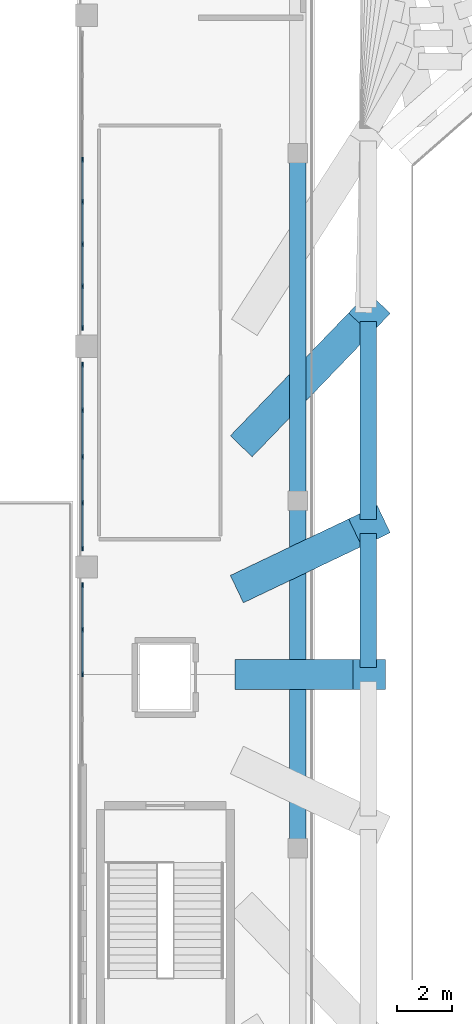
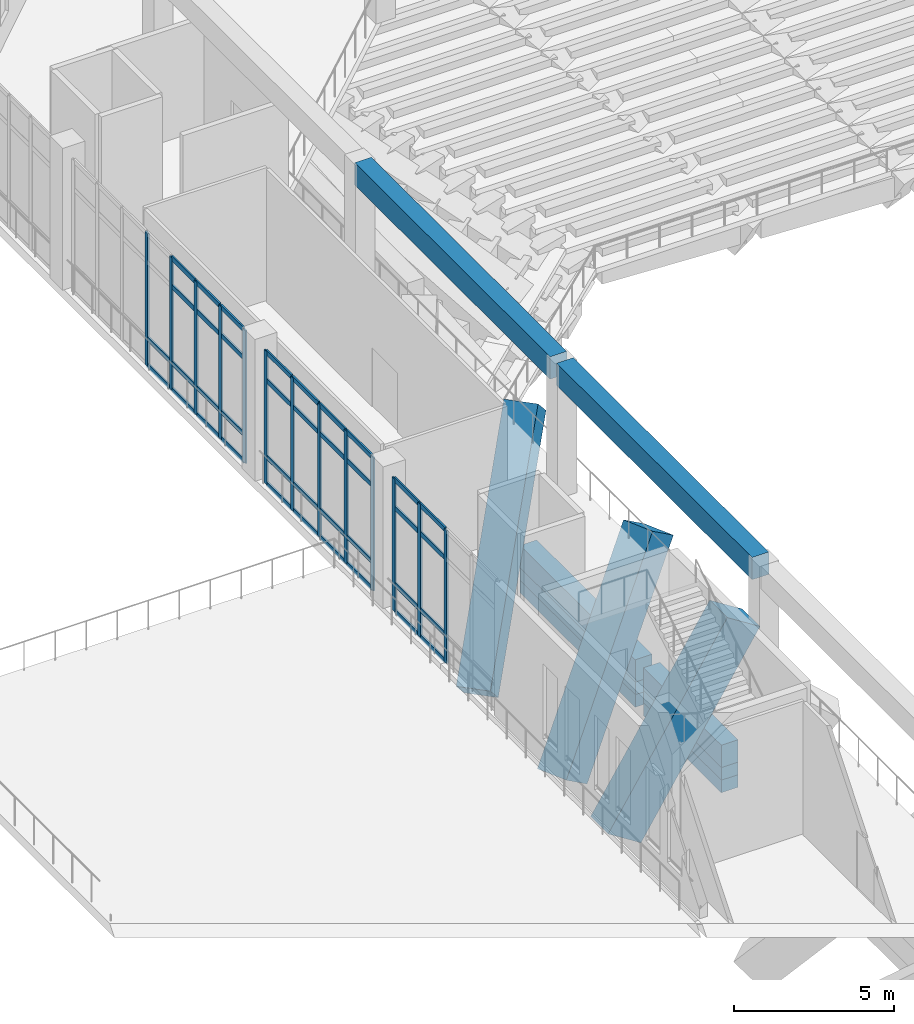
# One storey, part 18 of 55: 51 members, 11 beams, 3 elements without a shape of their own.
"""IFC4 building model written with IfcOpenShell, lengths in metres."""

from ifc_helpers import new_model, si_unit, derived_unit, direction, frame, origin, origin_2d, place, context, subcontext, project, spatial, rectangle, extrude, material, layer, layer_set, material_profile, profile_set, type_object, element, aggregate, save


model = new_model("IFC4")

# Units and contexts
model_context = context("Model", 3, precision=1e-05, world=origin(), true_north=direction((0.0, 1.0)))
body_context = subcontext(model_context, "Body", "Model", "MODEL_VIEW")
ifc_project = project(units=[si_unit("LENGTHUNIT", "METRE"), si_unit("AREAUNIT", "SQUARE_METRE"), si_unit("VOLUMEUNIT", "CUBIC_METRE"), si_unit("PLANEANGLEUNIT", "RADIAN"), si_unit("MASSUNIT", "GRAM", prefix="KILO"), derived_unit("THERMALTRANSMITTANCEUNIT", [(si_unit("MASSUNIT", "GRAM", prefix="KILO"), 1), (si_unit("TIMEUNIT", "SECOND"), -3), (si_unit("THERMODYNAMICTEMPERATUREUNIT", "KELVIN"), -1)])], contexts=[model_context])

# Site, building, storey
site_placement = place(None, origin())
site = spatial("IfcSite", under=ifc_project, at=site_placement, CompositionType="ELEMENT")
building_placement = place(site_placement, origin())
building = spatial("IfcBuilding", under=site, at=building_placement, Name="Valcora Ridge Arena", CompositionType="ELEMENT")
storey_placement = place(building_placement, frame((0.0, 0.0, 21.0)))
storey = spatial("IfcBuildingStorey", under=building, at=storey_placement, Name="L04", CompositionType="ELEMENT", Elevation=21.0)

# Beams
ifc_material_1 = material(Name="Concrete C40/50", Category="concrete")
ifc_material_profile_1 = material_profile(ifc_material_1, rectangle(XDim=0.60009765625, YDim=0.85009765625, at=origin_2d()), Name="RC 600x850")
ifc_profile_set_1 = profile_set([ifc_material_profile_1], Name="Concrete C40/50")
beam_type_1 = type_object("IfcBeamType", Name="TY-BEAM-B-RC600-X", PredefinedType="BEAM", material=ifc_profile_set_1)
beam_1_placement = place(storey_placement, frame((26.55712890625, 76.905517578125, -8.22509765625), z_axis=(0.0, -1.0, 0.0), x_axis=(1.0, 0.0, 0.0)))
element("IfcBeam", 1, at=beam_1_placement, inside=storey, type_object=beam_type_1, Name="B-RC600-X BEM-RU3-B-RC600-X-0045", PredefinedType="BEAM", context=body_context, shape_type="SweptSolid", body=[
    extrude(rectangle(XDim=0.60009765625, YDim=0.85009765625, at=origin_2d()), origin(), (0.0, 0.0, 1.0), 7.18603515625),
])
beam_2_placement = place(storey_placement, frame((26.55712890625, 69.219482421875, -8.22509765625), z_axis=(0.0, -1.0, 0.0), x_axis=(1.0, 0.0, 0.0)))
element("IfcBeam", 2, at=beam_2_placement, inside=storey, type_object=beam_type_1, Name="B-RC600-X BEM-RU3-B-RC600-X-0046", PredefinedType="BEAM", context=body_context, shape_type="SweptSolid", body=[
    extrude(rectangle(XDim=0.60009765625, YDim=0.85009765625, at=origin_2d()), origin(), (0.0, 0.0, 1.0), 4.869384765625),
])
beam_3_placement = place(storey_placement, frame((26.55712890625, 76.905517578125, -7.7451171875), z_axis=(0.0, -1.0, 0.0), x_axis=(1.0, 0.0, 0.0)))
element("IfcBeam", 3, at=beam_3_placement, inside=storey, type_object=beam_type_1, Name="B-RC600-X BEM-RU3-B-RC600-X-0096", PredefinedType="BEAM", context=body_context, shape_type="SweptSolid", body=[
    extrude(rectangle(XDim=0.60009765625, YDim=0.85009765625, at=origin_2d()), origin(), (0.0, 0.0, 1.0), 7.18603515625),
])
beam_4_placement = place(storey_placement, frame((26.55712890625, 69.219482421875, -7.7451171875), z_axis=(0.0, -1.0, 0.0), x_axis=(1.0, 0.0, 0.0)))
element("IfcBeam", 4, at=beam_4_placement, inside=storey, type_object=beam_type_1, Name="B-RC600-X BEM-RU3-B-RC600-X-0097", PredefinedType="BEAM", context=body_context, shape_type="SweptSolid", body=[
    extrude(rectangle(XDim=0.60009765625, YDim=0.85009765625, at=origin_2d()), origin(), (0.0, 0.0, 1.0), 4.869384765625),
])
beam_5_placement = place(storey_placement, frame((26.55712890625, 76.905517578125, -7.264892578125), z_axis=(0.0, -1.0, 0.0), x_axis=(1.0, 0.0, 0.0)))
element("IfcBeam", 5, at=beam_5_placement, inside=storey, type_object=beam_type_1, Name="B-RC600-X BEM-RU3-B-RC600-X-0147", PredefinedType="BEAM", context=body_context, shape_type="SweptSolid", body=[
    extrude(rectangle(XDim=0.60009765625, YDim=0.85009765625, at=origin_2d()), origin(), (0.0, 0.0, 1.0), 7.18603515625),
])
beam_6_placement = place(storey_placement, frame((26.55712890625, 69.219482421875, -7.264892578125), z_axis=(0.0, -1.0, 0.0), x_axis=(1.0, 0.0, 0.0)))
element("IfcBeam", 6, at=beam_6_placement, inside=storey, type_object=beam_type_1, Name="B-RC600-X BEM-RU3-B-RC600-X-0148", PredefinedType="BEAM", context=body_context, shape_type="SweptSolid", body=[
    extrude(rectangle(XDim=0.60009765625, YDim=0.85009765625, at=origin_2d()), origin(), (0.0, 0.0, 1.0), 4.869384765625),
])
ifc_material_profile_2 = material_profile(ifc_material_1, rectangle(XDim=0.60009765625, YDim=0.85009765625, at=origin_2d()), Name="RC 600x850")
ifc_profile_set_2 = profile_set([ifc_material_profile_2], Name="Concrete C40/50")
beam_type_2 = type_object("IfcBeamType", Name="TY-BEAM-B-RC600-Y", PredefinedType="BEAM", material=ifc_profile_set_2)
for number, where, z_axis, x_axis, name in (
    (7, (24.0, 58.0, 4.635009765625), (0.0, 1.0, 0.0), (-1.0, 0.0, 0.0), "B-RC600-Y BEM-B-RC600-Y-0028"),
    (8, (24.0, 70.60009765625, 4.635009765625), (0.0, 1.0, 0.0), (-1.0, 0.0, 0.0), "B-RC600-Y BEM-B-RC600-Y-0029"),
):
    element("IfcBeam", number, at=place(storey_placement, frame(where, z_axis=z_axis, x_axis=x_axis)), inside=storey, type_object=beam_type_2, Name=name, PredefinedType="BEAM", context=body_context, shape_type="SweptSolid", body=[
        extrude(rectangle(XDim=0.60009765625, YDim=0.85009765625, at=origin_2d()), origin(), (0.0, 0.0, 1.0), 12.199951171875),
    ])
ifc_material_2 = material(Name="Concrete C45/55", Category="concrete")
ifc_material_profile_3 = material_profile(ifc_material_2, rectangle(XDim=1.10009765625, YDim=1.39990234375, at=origin_2d()), Name="RC 1100x1400")
ifc_profile_set_3 = profile_set([ifc_material_profile_3], Name="Concrete C45/55")
beam_type_3 = type_object("IfcBeamType", Name="TY-BEAM-RKR-UPP-1400", PredefinedType="USERDEFINED", material=ifc_profile_set_3)
beam_7_placement = place(storey_placement, frame((22.31005859375, 72.7451171875, -8.52001953125), z_axis=(0.468982923792, 0.48699814537, 0.736809217911), x_axis=(-0.720304142252, 0.693658376043, 0.0)))
element("IfcBeam", 9, at=beam_7_placement, inside=storey, type_object=beam_type_3, Name="RKR-UPP-1400 BEM-RK-RKR-UPP-1400-0046", ObjectType="RAKER", PredefinedType="USERDEFINED", context=body_context, shape_type="SweptSolid", body=[
    extrude(rectangle(XDim=1.10009765625, YDim=1.39990234375, at=origin_2d()), origin(), (0.0, 0.0, 1.0), 9.1474609375),
])
beam_8_placement = place(storey_placement, frame((22.31005859375, 64.10009765625, -8.52001953125), z_axis=(0.53696051187, 0.0, 0.843607378283), x_axis=(0.0, 1.0, 0.0)))
element("IfcBeam", 10, at=beam_8_placement, inside=storey, type_object=beam_type_3, Name="RKR-UPP-1400 BEM-RK-RKR-UPP-1400-0047", ObjectType="RAKER", PredefinedType="USERDEFINED", context=body_context, shape_type="SweptSolid", body=[
    extrude(rectangle(XDim=1.10009765625, YDim=1.39990234375, at=origin_2d()), origin(), (0.0, 0.0, 1.0), 7.989501953125),
])
beam_9_placement = place(storey_placement, frame((22.31005859375, 67.44384765625, -8.52001953125), z_axis=(0.520172505004, 0.248097300503, 0.817232093423), x_axis=(-0.430493770207, 0.902593548511, 0.0)))
element("IfcBeam", 11, at=beam_9_placement, inside=storey, type_object=beam_type_3, Name="RKR-UPP-1400 BEM-RKN-RKR-UPP-1400-0001", ObjectType="RAKER", PredefinedType="USERDEFINED", context=body_context, shape_type="SweptSolid", body=[
    extrude(rectangle(XDim=1.10009765625, YDim=1.39990234375, at=origin_2d()), origin(), (0.0, 0.0, 1.0), 8.247314453125),
])

# Curtain wall, members
ifc_material_3 = material(Name="Anodised dark bronze architectural aluminium 6063-T6", Category="aluminium")
ifc_layer_1 = layer(ifc_material_3, 0.179931640625, Name="Anodised dark bronze architectural aluminium 6063-T6")
ifc_layer_set_1 = layer_set([ifc_layer_1], Name="Anodised dark bronze architectural aluminium 6063-T6")
curtain_wall_type_1 = type_object("IfcCurtainWallType", Name="TY-CURTAINWALL-CW-V1-GOTH-065X51", PredefinedType="NOTDEFINED", material=ifc_layer_set_1)
curtain_wall_1_placement = place(storey_placement, origin())
curtain_wall_1 = element("IfcCurtainWall", 12, at=curtain_wall_1_placement, inside=storey, type_object=curtain_wall_type_1, Name="CW-V1-GOTH-065X51 CW-0149", PredefinedType="NOTDEFINED")
ifc_material_profile_4 = material_profile(ifc_material_3, rectangle(XDim=0.06005859375, YDim=0.179931640625, at=origin_2d()), Name="ALU MULLION 60x180")
ifc_profile_set_4 = profile_set([ifc_material_profile_4], Name="Anodised dark bronze architectural aluminium 6063-T6")
member_type_1 = type_object("IfcMemberType", Name="TY-MEM-CWM-60x180", PredefinedType="MULLION", material=ifc_profile_set_4)
member_1_placement = place(storey_placement, frame((16.199951171875, 64.10498046875, 0.0), z_axis=(0.0, 0.0, 1.0), x_axis=(-1.0, 0.0, 0.0)))
member_1 = element("IfcMember", 13, at=member_1_placement, type_object=member_type_1, Name="CW-0149/CWM-60x180/M02", PredefinedType="MULLION", context=body_context, shape_type="SweptSolid", body=[
    extrude(rectangle(XDim=0.06005859375, YDim=0.179931640625, at=origin_2d()), origin(), (0.0, 0.0, 1.0), 5.06005859375),
])
member_2_placement = place(storey_placement, frame((16.199951171875, 65.732421875, 0.0), z_axis=(0.0, 0.0, 1.0), x_axis=(-1.0, 0.0, 0.0)))
member_2 = element("IfcMember", 14, at=member_2_placement, type_object=member_type_1, Name="CW-0149/CWM-60x180/M03", PredefinedType="MULLION", context=body_context, shape_type="SweptSolid", body=[
    extrude(rectangle(XDim=0.06005859375, YDim=0.179931640625, at=origin_2d()), origin(), (0.0, 0.0, 1.0), 5.06005859375),
])
member_3_placement = place(storey_placement, frame((16.199951171875, 67.330078125, 0.0), z_axis=(0.0, 0.0, 1.0), x_axis=(-1.0, 0.0, 0.0)))
member_3 = element("IfcMember", 15, at=member_3_placement, type_object=member_type_1, Name="CW-0149/CWM-60x180/M04", PredefinedType="MULLION", context=body_context, shape_type="SweptSolid", body=[
    extrude(rectangle(XDim=0.06005859375, YDim=0.179931640625, at=origin_2d()), origin(), (0.0, 0.0, 1.0), 5.06005859375),
])

ifc_layer_2 = layer(ifc_material_3, 0.179931640625, Name="Anodised dark bronze architectural aluminium 6063-T6")
ifc_layer_set_2 = layer_set([ifc_layer_2], Name="Anodised dark bronze architectural aluminium 6063-T6")
curtain_wall_type_2 = type_object("IfcCurtainWallType", Name="TY-CURTAINWALL-CW-V1-GOTH-067X51", PredefinedType="NOTDEFINED", material=ifc_layer_set_2)
curtain_wall_2_placement = place(storey_placement, origin())
curtain_wall_2 = element("IfcCurtainWall", 16, at=curtain_wall_2_placement, inside=storey, type_object=curtain_wall_type_2, Name="CW-V1-GOTH-067X51 CW-0150", PredefinedType="NOTDEFINED")
member_4_placement = place(storey_placement, frame((16.199951171875, 68.669921875, 0.0), z_axis=(0.0, 0.0, 1.0), x_axis=(-1.0, 0.0, 0.0)))
member_4 = element("IfcMember", 17, at=member_4_placement, type_object=member_type_1, Name="CW-0150/CWM-60x180/M00", PredefinedType="MULLION", context=body_context, shape_type="SweptSolid", body=[
    extrude(rectangle(XDim=0.06005859375, YDim=0.179931640625, at=origin_2d()), origin(), (0.0, 0.0, 1.0), 5.06005859375),
])
member_5_placement = place(storey_placement, frame((16.199951171875, 70.320068359375, 0.0), z_axis=(0.0, 0.0, 1.0), x_axis=(-1.0, 0.0, 0.0)))
member_5 = element("IfcMember", 18, at=member_5_placement, type_object=member_type_1, Name="CW-0150/CWM-60x180/M01", PredefinedType="MULLION", context=body_context, shape_type="SweptSolid", body=[
    extrude(rectangle(XDim=0.06005859375, YDim=0.179931640625, at=origin_2d()), origin(), (0.0, 0.0, 1.0), 5.06005859375),
])
member_6_placement = place(storey_placement, frame((16.199951171875, 72.0, 0.0), z_axis=(0.0, 0.0, 1.0), x_axis=(-1.0, 0.0, 0.0)))
member_6 = element("IfcMember", 19, at=member_6_placement, type_object=member_type_1, Name="CW-0150/CWM-60x180/M02", PredefinedType="MULLION", context=body_context, shape_type="SweptSolid", body=[
    extrude(rectangle(XDim=0.06005859375, YDim=0.179931640625, at=origin_2d()), origin(), (0.0, 0.0, 1.0), 5.06005859375),
])
member_7_placement = place(storey_placement, frame((16.199951171875, 73.679931640625, 0.0), z_axis=(0.0, 0.0, 1.0), x_axis=(-1.0, 0.0, 0.0)))
member_7 = element("IfcMember", 20, at=member_7_placement, type_object=member_type_1, Name="CW-0150/CWM-60x180/M03", PredefinedType="MULLION", context=body_context, shape_type="SweptSolid", body=[
    extrude(rectangle(XDim=0.06005859375, YDim=0.179931640625, at=origin_2d()), origin(), (0.0, 0.0, 1.0), 5.06005859375),
])
member_8_placement = place(storey_placement, frame((16.199951171875, 75.330078125, 0.0), z_axis=(0.0, 0.0, 1.0), x_axis=(-1.0, 0.0, 0.0)))
member_8 = element("IfcMember", 21, at=member_8_placement, type_object=member_type_1, Name="CW-0150/CWM-60x180/M04", PredefinedType="MULLION", context=body_context, shape_type="SweptSolid", body=[
    extrude(rectangle(XDim=0.06005859375, YDim=0.179931640625, at=origin_2d()), origin(), (0.0, 0.0, 1.0), 5.06005859375),
])

ifc_layer_3 = layer(ifc_material_3, 0.179931640625, Name="Anodised dark bronze architectural aluminium 6063-T6")
ifc_layer_set_3 = layer_set([ifc_layer_3], Name="Anodised dark bronze architectural aluminium 6063-T6")
curtain_wall_type_3 = type_object("IfcCurtainWallType", Name="TY-CURTAINWALL-CW-V1-GOTH-107X51", PredefinedType="NOTDEFINED", material=ifc_layer_set_3)
curtain_wall_3_placement = place(storey_placement, origin())
curtain_wall_3 = element("IfcCurtainWall", 22, at=curtain_wall_3_placement, inside=storey, type_object=curtain_wall_type_3, Name="CW-V1-GOTH-107X51 CW-0151", PredefinedType="NOTDEFINED")
member_9_placement = place(storey_placement, frame((16.199951171875, 76.669921875, 0.0), z_axis=(0.0, 0.0, 1.0), x_axis=(-1.0, 0.0, 0.0)))
member_9 = element("IfcMember", 23, at=member_9_placement, type_object=member_type_1, Name="CW-0151/CWM-60x180/M00", PredefinedType="MULLION", context=body_context, shape_type="SweptSolid", body=[
    extrude(rectangle(XDim=0.06005859375, YDim=0.179931640625, at=origin_2d()), origin(), (0.0, 0.0, 1.0), 5.06005859375),
])
member_10_placement = place(storey_placement, frame((16.199951171875, 78.17138671875, 0.0), z_axis=(0.0, 0.0, 1.0), x_axis=(-1.0, 0.0, 0.0)))
member_10 = element("IfcMember", 24, at=member_10_placement, type_object=member_type_1, Name="CW-0151/CWM-60x180/M01", PredefinedType="MULLION", context=body_context, shape_type="SweptSolid", body=[
    extrude(rectangle(XDim=0.06005859375, YDim=0.179931640625, at=origin_2d()), origin(), (0.0, 0.0, 1.0), 5.06005859375),
])
member_11_placement = place(storey_placement, frame((16.199951171875, 79.702880859375, 0.0), z_axis=(0.0, 0.0, 1.0), x_axis=(-1.0, 0.0, 0.0)))
member_11 = element("IfcMember", 25, at=member_11_placement, type_object=member_type_1, Name="CW-0151/CWM-60x180/M02", PredefinedType="MULLION", context=body_context, shape_type="SweptSolid", body=[
    extrude(rectangle(XDim=0.06005859375, YDim=0.179931640625, at=origin_2d()), origin(), (0.0, 0.0, 1.0), 5.06005859375),
])
member_12_placement = place(storey_placement, frame((16.199951171875, 81.234375, 0.0), z_axis=(0.0, 0.0, 1.0), x_axis=(-1.0, 0.0, 0.0)))
member_12 = element("IfcMember", 26, at=member_12_placement, type_object=member_type_1, Name="CW-0151/CWM-60x180/M03", PredefinedType="MULLION", context=body_context, shape_type="SweptSolid", body=[
    extrude(rectangle(XDim=0.06005859375, YDim=0.179931640625, at=origin_2d()), origin(), (0.0, 0.0, 1.0), 5.06005859375),
])
member_13_placement = place(storey_placement, frame((16.199951171875, 82.765625, 0.0), z_axis=(0.0, 0.0, 1.0), x_axis=(-1.0, 0.0, 0.0)))
member_13 = element("IfcMember", 27, at=member_13_placement, type_object=member_type_1, Name="CW-0151/CWM-60x180/M04", PredefinedType="MULLION", context=body_context, shape_type="SweptSolid", body=[
    extrude(rectangle(XDim=0.06005859375, YDim=0.179931640625, at=origin_2d()), origin(), (0.0, 0.0, 1.0), 5.06005859375),
])

# Member
ifc_material_profile_5 = material_profile(ifc_material_3, rectangle(XDim=0.06005859375, YDim=0.179931640625, at=origin_2d()), Name="ALU TRANSOM 60x180")
ifc_profile_set_5 = profile_set([ifc_material_profile_5], Name="Anodised dark bronze architectural aluminium 6063-T6")
member_type_2 = type_object("IfcMemberType", Name="TY-MEM-CWT-60x180", PredefinedType="USERDEFINED", material=ifc_profile_set_5)
member_14_placement = place(storey_placement, frame((16.199951171875, 64.135009765625, 0.030029296875), z_axis=(0.0, 1.0, 0.0), x_axis=(-1.0, 0.0, 0.0)))
member_14 = element("IfcMember", 28, at=member_14_placement, type_object=member_type_2, Name="CW-0149/CWT-60x180/T02-00", ObjectType="TRANSOM", PredefinedType="USERDEFINED", context=body_context, shape_type="SweptSolid", body=[
    extrude(rectangle(XDim=0.06005859375, YDim=0.179931640625, at=origin_2d()), origin(), (0.0, 0.0, 1.0), 1.56787109375),
])

member_15_placement = place(storey_placement, frame((16.199951171875, 64.135009765625, 1.050048828125), z_axis=(0.0, 1.0, 0.0), x_axis=(-1.0, 0.0, 0.0)))
member_15 = element("IfcMember", 29, at=member_15_placement, type_object=member_type_2, Name="CW-0149/CWT-60x180/T02-01", ObjectType="TRANSOM", PredefinedType="USERDEFINED", context=body_context, shape_type="SweptSolid", body=[
    extrude(rectangle(XDim=0.06005859375, YDim=0.179931640625, at=origin_2d()), origin(), (0.0, 0.0, 1.0), 1.56787109375),
])

member_16_placement = place(storey_placement, frame((16.199951171875, 64.135009765625, 3.9599609375), z_axis=(0.0, 1.0, 0.0), x_axis=(-1.0, 0.0, 0.0)))
member_16 = element("IfcMember", 30, at=member_16_placement, type_object=member_type_2, Name="CW-0149/CWT-60x180/T02-02", ObjectType="TRANSOM", PredefinedType="USERDEFINED", context=body_context, shape_type="SweptSolid", body=[
    extrude(rectangle(XDim=0.06005859375, YDim=0.179931640625, at=origin_2d()), origin(), (0.0, 0.0, 1.0), 1.56787109375),
])

member_17_placement = place(storey_placement, frame((16.199951171875, 64.135009765625, 5.030029296875), z_axis=(0.0, 1.0, 0.0), x_axis=(-1.0, 0.0, 0.0)))
member_17 = element("IfcMember", 31, at=member_17_placement, type_object=member_type_2, Name="CW-0149/CWT-60x180/T02-03", ObjectType="TRANSOM", PredefinedType="USERDEFINED", context=body_context, shape_type="SweptSolid", body=[
    extrude(rectangle(XDim=0.06005859375, YDim=0.179931640625, at=origin_2d()), origin(), (0.0, 0.0, 1.0), 1.56787109375),
])

member_18_placement = place(storey_placement, frame((16.199951171875, 65.762939453125, 0.030029296875), z_axis=(0.0, 1.0, 0.0), x_axis=(-1.0, 0.0, 0.0)))
member_18 = element("IfcMember", 32, at=member_18_placement, type_object=member_type_2, Name="CW-0149/CWT-60x180/T03-00", ObjectType="TRANSOM", PredefinedType="USERDEFINED", context=body_context, shape_type="SweptSolid", body=[
    extrude(rectangle(XDim=0.06005859375, YDim=0.179931640625, at=origin_2d()), origin(), (0.0, 0.0, 1.0), 1.537109375),
])

member_19_placement = place(storey_placement, frame((16.199951171875, 65.762939453125, 1.050048828125), z_axis=(0.0, 1.0, 0.0), x_axis=(-1.0, 0.0, 0.0)))
member_19 = element("IfcMember", 33, at=member_19_placement, type_object=member_type_2, Name="CW-0149/CWT-60x180/T03-01", ObjectType="TRANSOM", PredefinedType="USERDEFINED", context=body_context, shape_type="SweptSolid", body=[
    extrude(rectangle(XDim=0.06005859375, YDim=0.179931640625, at=origin_2d()), origin(), (0.0, 0.0, 1.0), 1.537109375),
])

member_20_placement = place(storey_placement, frame((16.199951171875, 65.762939453125, 3.9599609375), z_axis=(0.0, 1.0, 0.0), x_axis=(-1.0, 0.0, 0.0)))
member_20 = element("IfcMember", 34, at=member_20_placement, type_object=member_type_2, Name="CW-0149/CWT-60x180/T03-02", ObjectType="TRANSOM", PredefinedType="USERDEFINED", context=body_context, shape_type="SweptSolid", body=[
    extrude(rectangle(XDim=0.06005859375, YDim=0.179931640625, at=origin_2d()), origin(), (0.0, 0.0, 1.0), 1.537109375),
])

member_21_placement = place(storey_placement, frame((16.199951171875, 65.762939453125, 5.030029296875), z_axis=(0.0, 1.0, 0.0), x_axis=(-1.0, 0.0, 0.0)))
member_21 = element("IfcMember", 35, at=member_21_placement, type_object=member_type_2, Name="CW-0149/CWT-60x180/T03-03", ObjectType="TRANSOM", PredefinedType="USERDEFINED", context=body_context, shape_type="SweptSolid", body=[
    extrude(rectangle(XDim=0.06005859375, YDim=0.179931640625, at=origin_2d()), origin(), (0.0, 0.0, 1.0), 1.537109375),
])

aggregate(curtain_wall_1, [member_1, member_2, member_3, member_14, member_15, member_16, member_17, member_18, member_19, member_20, member_21])

member_22_placement = place(storey_placement, frame((16.199951171875, 68.699951171875, 0.030029296875), z_axis=(0.0, 1.0, 0.0), x_axis=(-1.0, 0.0, 0.0)))
member_22 = element("IfcMember", 36, at=member_22_placement, type_object=member_type_2, Name="CW-0150/CWT-60x180/T00-00", ObjectType="TRANSOM", PredefinedType="USERDEFINED", context=body_context, shape_type="SweptSolid", body=[
    extrude(rectangle(XDim=0.06005859375, YDim=0.179931640625, at=origin_2d()), origin(), (0.0, 0.0, 1.0), 1.590087890625),
])

member_23_placement = place(storey_placement, frame((16.199951171875, 68.699951171875, 1.050048828125), z_axis=(0.0, 1.0, 0.0), x_axis=(-1.0, 0.0, 0.0)))
member_23 = element("IfcMember", 37, at=member_23_placement, type_object=member_type_2, Name="CW-0150/CWT-60x180/T00-01", ObjectType="TRANSOM", PredefinedType="USERDEFINED", context=body_context, shape_type="SweptSolid", body=[
    extrude(rectangle(XDim=0.06005859375, YDim=0.179931640625, at=origin_2d()), origin(), (0.0, 0.0, 1.0), 1.590087890625),
])

member_24_placement = place(storey_placement, frame((16.199951171875, 68.699951171875, 3.9599609375), z_axis=(0.0, 1.0, 0.0), x_axis=(-1.0, 0.0, 0.0)))
member_24 = element("IfcMember", 38, at=member_24_placement, type_object=member_type_2, Name="CW-0150/CWT-60x180/T00-02", ObjectType="TRANSOM", PredefinedType="USERDEFINED", context=body_context, shape_type="SweptSolid", body=[
    extrude(rectangle(XDim=0.06005859375, YDim=0.179931640625, at=origin_2d()), origin(), (0.0, 0.0, 1.0), 1.590087890625),
])

member_25_placement = place(storey_placement, frame((16.199951171875, 68.699951171875, 5.030029296875), z_axis=(0.0, 1.0, 0.0), x_axis=(-1.0, 0.0, 0.0)))
member_25 = element("IfcMember", 39, at=member_25_placement, type_object=member_type_2, Name="CW-0150/CWT-60x180/T00-03", ObjectType="TRANSOM", PredefinedType="USERDEFINED", context=body_context, shape_type="SweptSolid", body=[
    extrude(rectangle(XDim=0.06005859375, YDim=0.179931640625, at=origin_2d()), origin(), (0.0, 0.0, 1.0), 1.590087890625),
])

member_26_placement = place(storey_placement, frame((16.199951171875, 70.35009765625, 0.030029296875), z_axis=(0.0, 1.0, 0.0), x_axis=(-1.0, 0.0, 0.0)))
member_26 = element("IfcMember", 40, at=member_26_placement, type_object=member_type_2, Name="CW-0150/CWT-60x180/T01-00", ObjectType="TRANSOM", PredefinedType="USERDEFINED", context=body_context, shape_type="SweptSolid", body=[
    extrude(rectangle(XDim=0.06005859375, YDim=0.179931640625, at=origin_2d()), origin(), (0.0, 0.0, 1.0), 1.619873046875),
])

member_27_placement = place(storey_placement, frame((16.199951171875, 70.35009765625, 1.050048828125), z_axis=(0.0, 1.0, 0.0), x_axis=(-1.0, 0.0, 0.0)))
member_27 = element("IfcMember", 41, at=member_27_placement, type_object=member_type_2, Name="CW-0150/CWT-60x180/T01-01", ObjectType="TRANSOM", PredefinedType="USERDEFINED", context=body_context, shape_type="SweptSolid", body=[
    extrude(rectangle(XDim=0.06005859375, YDim=0.179931640625, at=origin_2d()), origin(), (0.0, 0.0, 1.0), 1.619873046875),
])

member_28_placement = place(storey_placement, frame((16.199951171875, 70.35009765625, 3.9599609375), z_axis=(0.0, 1.0, 0.0), x_axis=(-1.0, 0.0, 0.0)))
member_28 = element("IfcMember", 42, at=member_28_placement, type_object=member_type_2, Name="CW-0150/CWT-60x180/T01-02", ObjectType="TRANSOM", PredefinedType="USERDEFINED", context=body_context, shape_type="SweptSolid", body=[
    extrude(rectangle(XDim=0.06005859375, YDim=0.179931640625, at=origin_2d()), origin(), (0.0, 0.0, 1.0), 1.619873046875),
])

member_29_placement = place(storey_placement, frame((16.199951171875, 70.35009765625, 5.030029296875), z_axis=(0.0, 1.0, 0.0), x_axis=(-1.0, 0.0, 0.0)))
member_29 = element("IfcMember", 43, at=member_29_placement, type_object=member_type_2, Name="CW-0150/CWT-60x180/T01-03", ObjectType="TRANSOM", PredefinedType="USERDEFINED", context=body_context, shape_type="SweptSolid", body=[
    extrude(rectangle(XDim=0.06005859375, YDim=0.179931640625, at=origin_2d()), origin(), (0.0, 0.0, 1.0), 1.619873046875),
])

member_30_placement = place(storey_placement, frame((16.199951171875, 72.030029296875, 0.030029296875), z_axis=(0.0, 1.0, 0.0), x_axis=(-1.0, 0.0, 0.0)))
member_30 = element("IfcMember", 44, at=member_30_placement, type_object=member_type_2, Name="CW-0150/CWT-60x180/T02-00", ObjectType="TRANSOM", PredefinedType="USERDEFINED", context=body_context, shape_type="SweptSolid", body=[
    extrude(rectangle(XDim=0.06005859375, YDim=0.179931640625, at=origin_2d()), origin(), (0.0, 0.0, 1.0), 1.619873046875),
])

member_31_placement = place(storey_placement, frame((16.199951171875, 72.030029296875, 1.050048828125), z_axis=(0.0, 1.0, 0.0), x_axis=(-1.0, 0.0, 0.0)))
member_31 = element("IfcMember", 45, at=member_31_placement, type_object=member_type_2, Name="CW-0150/CWT-60x180/T02-01", ObjectType="TRANSOM", PredefinedType="USERDEFINED", context=body_context, shape_type="SweptSolid", body=[
    extrude(rectangle(XDim=0.06005859375, YDim=0.179931640625, at=origin_2d()), origin(), (0.0, 0.0, 1.0), 1.619873046875),
])

member_32_placement = place(storey_placement, frame((16.199951171875, 72.030029296875, 3.9599609375), z_axis=(0.0, 1.0, 0.0), x_axis=(-1.0, 0.0, 0.0)))
member_32 = element("IfcMember", 46, at=member_32_placement, type_object=member_type_2, Name="CW-0150/CWT-60x180/T02-02", ObjectType="TRANSOM", PredefinedType="USERDEFINED", context=body_context, shape_type="SweptSolid", body=[
    extrude(rectangle(XDim=0.06005859375, YDim=0.179931640625, at=origin_2d()), origin(), (0.0, 0.0, 1.0), 1.619873046875),
])

member_33_placement = place(storey_placement, frame((16.199951171875, 72.030029296875, 5.030029296875), z_axis=(0.0, 1.0, 0.0), x_axis=(-1.0, 0.0, 0.0)))
member_33 = element("IfcMember", 47, at=member_33_placement, type_object=member_type_2, Name="CW-0150/CWT-60x180/T02-03", ObjectType="TRANSOM", PredefinedType="USERDEFINED", context=body_context, shape_type="SweptSolid", body=[
    extrude(rectangle(XDim=0.06005859375, YDim=0.179931640625, at=origin_2d()), origin(), (0.0, 0.0, 1.0), 1.619873046875),
])

member_34_placement = place(storey_placement, frame((16.199951171875, 73.7099609375, 0.030029296875), z_axis=(0.0, 1.0, 0.0), x_axis=(-1.0, 0.0, 0.0)))
member_34 = element("IfcMember", 48, at=member_34_placement, type_object=member_type_2, Name="CW-0150/CWT-60x180/T03-00", ObjectType="TRANSOM", PredefinedType="USERDEFINED", context=body_context, shape_type="SweptSolid", body=[
    extrude(rectangle(XDim=0.06005859375, YDim=0.179931640625, at=origin_2d()), origin(), (0.0, 0.0, 1.0), 1.590087890625),
])

member_35_placement = place(storey_placement, frame((16.199951171875, 73.7099609375, 1.050048828125), z_axis=(0.0, 1.0, 0.0), x_axis=(-1.0, 0.0, 0.0)))
member_35 = element("IfcMember", 49, at=member_35_placement, type_object=member_type_2, Name="CW-0150/CWT-60x180/T03-01", ObjectType="TRANSOM", PredefinedType="USERDEFINED", context=body_context, shape_type="SweptSolid", body=[
    extrude(rectangle(XDim=0.06005859375, YDim=0.179931640625, at=origin_2d()), origin(), (0.0, 0.0, 1.0), 1.590087890625),
])

member_36_placement = place(storey_placement, frame((16.199951171875, 73.7099609375, 3.9599609375), z_axis=(0.0, 1.0, 0.0), x_axis=(-1.0, 0.0, 0.0)))
member_36 = element("IfcMember", 50, at=member_36_placement, type_object=member_type_2, Name="CW-0150/CWT-60x180/T03-02", ObjectType="TRANSOM", PredefinedType="USERDEFINED", context=body_context, shape_type="SweptSolid", body=[
    extrude(rectangle(XDim=0.06005859375, YDim=0.179931640625, at=origin_2d()), origin(), (0.0, 0.0, 1.0), 1.590087890625),
])

member_37_placement = place(storey_placement, frame((16.199951171875, 73.7099609375, 5.030029296875), z_axis=(0.0, 1.0, 0.0), x_axis=(-1.0, 0.0, 0.0)))
member_37 = element("IfcMember", 51, at=member_37_placement, type_object=member_type_2, Name="CW-0150/CWT-60x180/T03-03", ObjectType="TRANSOM", PredefinedType="USERDEFINED", context=body_context, shape_type="SweptSolid", body=[
    extrude(rectangle(XDim=0.06005859375, YDim=0.179931640625, at=origin_2d()), origin(), (0.0, 0.0, 1.0), 1.590087890625),
])

aggregate(curtain_wall_2, [member_4, member_5, member_6, member_7, member_8, member_22, member_23, member_24, member_25, member_26, member_27, member_28, member_29, member_30, member_31, member_32, member_33, member_34, member_35, member_36, member_37])

member_38_placement = place(storey_placement, frame((16.199951171875, 76.699951171875, 0.030029296875), z_axis=(0.0, 1.0, 0.0), x_axis=(-1.0, 0.0, 0.0)))
member_38 = element("IfcMember", 52, at=member_38_placement, type_object=member_type_2, Name="CW-0151/CWT-60x180/T00-00", ObjectType="TRANSOM", PredefinedType="USERDEFINED", context=body_context, shape_type="SweptSolid", body=[
    extrude(rectangle(XDim=0.06005859375, YDim=0.179931640625, at=origin_2d()), origin(), (0.0, 0.0, 1.0), 1.441162109375),
])

member_39_placement = place(storey_placement, frame((16.199951171875, 76.699951171875, 1.050048828125), z_axis=(0.0, 1.0, 0.0), x_axis=(-1.0, 0.0, 0.0)))
member_39 = element("IfcMember", 53, at=member_39_placement, type_object=member_type_2, Name="CW-0151/CWT-60x180/T00-01", ObjectType="TRANSOM", PredefinedType="USERDEFINED", context=body_context, shape_type="SweptSolid", body=[
    extrude(rectangle(XDim=0.06005859375, YDim=0.179931640625, at=origin_2d()), origin(), (0.0, 0.0, 1.0), 1.441162109375),
])

member_40_placement = place(storey_placement, frame((16.199951171875, 76.699951171875, 3.9599609375), z_axis=(0.0, 1.0, 0.0), x_axis=(-1.0, 0.0, 0.0)))
member_40 = element("IfcMember", 54, at=member_40_placement, type_object=member_type_2, Name="CW-0151/CWT-60x180/T00-02", ObjectType="TRANSOM", PredefinedType="USERDEFINED", context=body_context, shape_type="SweptSolid", body=[
    extrude(rectangle(XDim=0.06005859375, YDim=0.179931640625, at=origin_2d()), origin(), (0.0, 0.0, 1.0), 1.441162109375),
])

member_41_placement = place(storey_placement, frame((16.199951171875, 76.699951171875, 5.030029296875), z_axis=(0.0, 1.0, 0.0), x_axis=(-1.0, 0.0, 0.0)))
member_41 = element("IfcMember", 55, at=member_41_placement, type_object=member_type_2, Name="CW-0151/CWT-60x180/T00-03", ObjectType="TRANSOM", PredefinedType="USERDEFINED", context=body_context, shape_type="SweptSolid", body=[
    extrude(rectangle(XDim=0.06005859375, YDim=0.179931640625, at=origin_2d()), origin(), (0.0, 0.0, 1.0), 1.441162109375),
])

member_42_placement = place(storey_placement, frame((16.199951171875, 78.200927734375, 0.030029296875), z_axis=(0.0, 1.0, 0.0), x_axis=(-1.0, 0.0, 0.0)))
member_42 = element("IfcMember", 56, at=member_42_placement, type_object=member_type_2, Name="CW-0151/CWT-60x180/T01-00", ObjectType="TRANSOM", PredefinedType="USERDEFINED", context=body_context, shape_type="SweptSolid", body=[
    extrude(rectangle(XDim=0.06005859375, YDim=0.179931640625, at=origin_2d()), origin(), (0.0, 0.0, 1.0), 1.47216796875),
])

member_43_placement = place(storey_placement, frame((16.199951171875, 78.200927734375, 1.050048828125), z_axis=(0.0, 1.0, 0.0), x_axis=(-1.0, 0.0, 0.0)))
member_43 = element("IfcMember", 57, at=member_43_placement, type_object=member_type_2, Name="CW-0151/CWT-60x180/T01-01", ObjectType="TRANSOM", PredefinedType="USERDEFINED", context=body_context, shape_type="SweptSolid", body=[
    extrude(rectangle(XDim=0.06005859375, YDim=0.179931640625, at=origin_2d()), origin(), (0.0, 0.0, 1.0), 1.47216796875),
])

member_44_placement = place(storey_placement, frame((16.199951171875, 78.200927734375, 3.9599609375), z_axis=(0.0, 1.0, 0.0), x_axis=(-1.0, 0.0, 0.0)))
member_44 = element("IfcMember", 58, at=member_44_placement, type_object=member_type_2, Name="CW-0151/CWT-60x180/T01-02", ObjectType="TRANSOM", PredefinedType="USERDEFINED", context=body_context, shape_type="SweptSolid", body=[
    extrude(rectangle(XDim=0.06005859375, YDim=0.179931640625, at=origin_2d()), origin(), (0.0, 0.0, 1.0), 1.47216796875),
])

member_45_placement = place(storey_placement, frame((16.199951171875, 78.200927734375, 5.030029296875), z_axis=(0.0, 1.0, 0.0), x_axis=(-1.0, 0.0, 0.0)))
member_45 = element("IfcMember", 59, at=member_45_placement, type_object=member_type_2, Name="CW-0151/CWT-60x180/T01-03", ObjectType="TRANSOM", PredefinedType="USERDEFINED", context=body_context, shape_type="SweptSolid", body=[
    extrude(rectangle(XDim=0.06005859375, YDim=0.179931640625, at=origin_2d()), origin(), (0.0, 0.0, 1.0), 1.47216796875),
])

member_46_placement = place(storey_placement, frame((16.199951171875, 79.73291015625, 0.030029296875), z_axis=(0.0, 1.0, 0.0), x_axis=(-1.0, 0.0, 0.0)))
member_46 = element("IfcMember", 60, at=member_46_placement, type_object=member_type_2, Name="CW-0151/CWT-60x180/T02-00", ObjectType="TRANSOM", PredefinedType="USERDEFINED", context=body_context, shape_type="SweptSolid", body=[
    extrude(rectangle(XDim=0.06005859375, YDim=0.179931640625, at=origin_2d()), origin(), (0.0, 0.0, 1.0), 1.47119140625),
])

member_47_placement = place(storey_placement, frame((16.199951171875, 79.73291015625, 1.050048828125), z_axis=(0.0, 1.0, 0.0), x_axis=(-1.0, 0.0, 0.0)))
member_47 = element("IfcMember", 61, at=member_47_placement, type_object=member_type_2, Name="CW-0151/CWT-60x180/T02-01", ObjectType="TRANSOM", PredefinedType="USERDEFINED", context=body_context, shape_type="SweptSolid", body=[
    extrude(rectangle(XDim=0.06005859375, YDim=0.179931640625, at=origin_2d()), origin(), (0.0, 0.0, 1.0), 1.47119140625),
])

member_48_placement = place(storey_placement, frame((16.199951171875, 79.73291015625, 3.9599609375), z_axis=(0.0, 1.0, 0.0), x_axis=(-1.0, 0.0, 0.0)))
member_48 = element("IfcMember", 62, at=member_48_placement, type_object=member_type_2, Name="CW-0151/CWT-60x180/T02-02", ObjectType="TRANSOM", PredefinedType="USERDEFINED", context=body_context, shape_type="SweptSolid", body=[
    extrude(rectangle(XDim=0.06005859375, YDim=0.179931640625, at=origin_2d()), origin(), (0.0, 0.0, 1.0), 1.47119140625),
])

member_49_placement = place(storey_placement, frame((16.199951171875, 79.73291015625, 5.030029296875), z_axis=(0.0, 1.0, 0.0), x_axis=(-1.0, 0.0, 0.0)))
member_49 = element("IfcMember", 63, at=member_49_placement, type_object=member_type_2, Name="CW-0151/CWT-60x180/T02-03", ObjectType="TRANSOM", PredefinedType="USERDEFINED", context=body_context, shape_type="SweptSolid", body=[
    extrude(rectangle(XDim=0.06005859375, YDim=0.179931640625, at=origin_2d()), origin(), (0.0, 0.0, 1.0), 1.47119140625),
])

member_50_placement = place(storey_placement, frame((16.199951171875, 81.263916015625, 0.030029296875), z_axis=(0.0, 1.0, 0.0), x_axis=(-1.0, 0.0, 0.0)))
member_50 = element("IfcMember", 64, at=member_50_placement, type_object=member_type_2, Name="CW-0151/CWT-60x180/T03-00", ObjectType="TRANSOM", PredefinedType="USERDEFINED", context=body_context, shape_type="SweptSolid", body=[
    extrude(rectangle(XDim=0.06005859375, YDim=0.179931640625, at=origin_2d()), origin(), (0.0, 0.0, 1.0), 1.47216796875),
])

member_51_placement = place(storey_placement, frame((16.199951171875, 81.263916015625, 1.050048828125), z_axis=(0.0, 1.0, 0.0), x_axis=(-1.0, 0.0, 0.0)))
member_51 = element("IfcMember", 65, at=member_51_placement, type_object=member_type_2, Name="CW-0151/CWT-60x180/T03-01", ObjectType="TRANSOM", PredefinedType="USERDEFINED", context=body_context, shape_type="SweptSolid", body=[
    extrude(rectangle(XDim=0.06005859375, YDim=0.179931640625, at=origin_2d()), origin(), (0.0, 0.0, 1.0), 1.47216796875),
])

aggregate(curtain_wall_3, [member_9, member_10, member_11, member_12, member_13, member_38, member_39, member_40, member_41, member_42, member_43, member_44, member_45, member_46, member_47, member_48, member_49, member_50, member_51])

save(model, "model.ifc")
